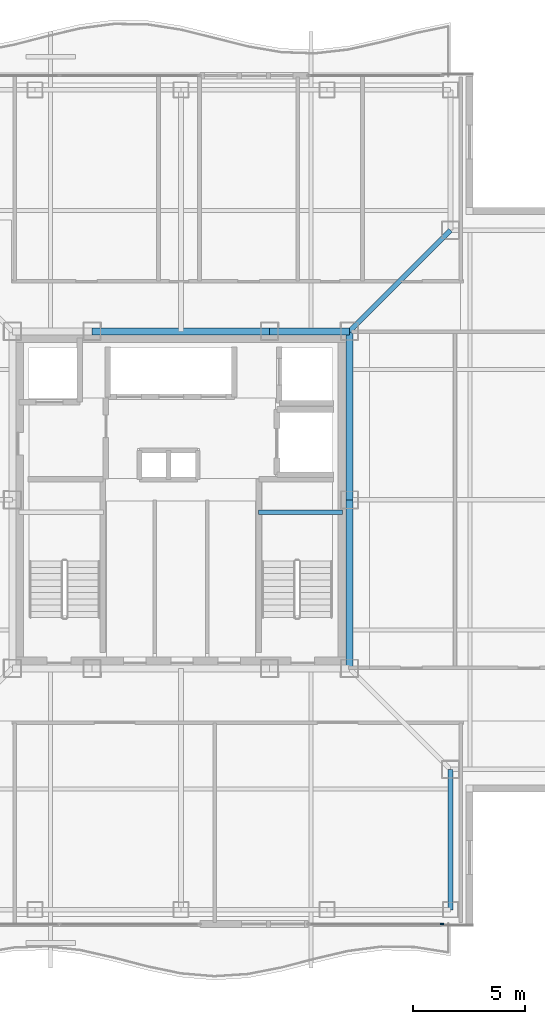
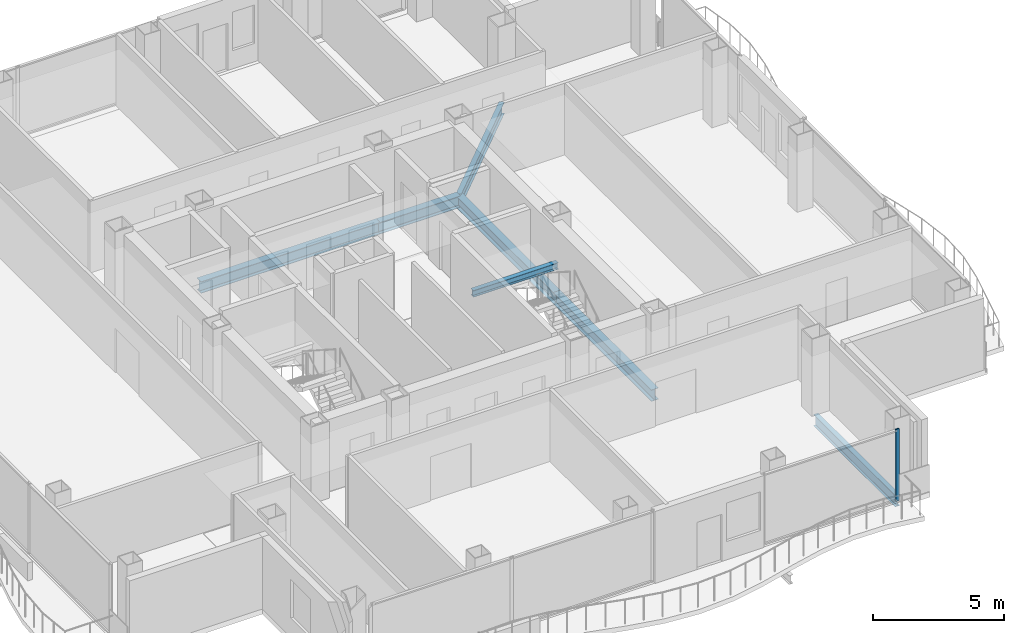
# One storey, part 5 of 17: 7 beams, 1 member, 1 element without a shape of its own.
"""IFC4 building model written with IfcOpenShell, lengths in metres."""

from ifc_helpers import new_model, si_unit, direction, frame, origin, origin_2d, place, context, subcontext, project, spatial, rectangle, i_section, extrude, material, layer, layer_set, material_profile, profile_set, type_object, element, aggregate, save


model = new_model("IFC4")

# Units and contexts
model_context = context("Model", 3, precision=1e-05, world=origin(), true_north=direction((0.0, 1.0)))
body_context = subcontext(model_context, "Body", "Model", "MODEL_VIEW")
ifc_project = project(units=[si_unit("LENGTHUNIT", "METRE"), si_unit("AREAUNIT", "SQUARE_METRE"), si_unit("VOLUMEUNIT", "CUBIC_METRE"), si_unit("PLANEANGLEUNIT", "RADIAN"), si_unit("MASSUNIT", "GRAM", prefix="KILO")], contexts=[model_context])

# Site, building, storey
site_placement = place(None, origin())
site = spatial("IfcSite", under=ifc_project, at=site_placement, CompositionType="ELEMENT")
building_placement = place(site_placement, origin())
building = spatial("IfcBuilding", under=site, at=building_placement, Name="Trevonay Congress Spire", CompositionType="ELEMENT")
storey_placement = place(building_placement, frame((0.0, 0.0, 264.800048828125)))
storey = spatial("IfcBuildingStorey", under=building, at=storey_placement, Name="L69", CompositionType="ELEMENT", Elevation=264.800048828125)

# Beams
ifc_material_1 = material(Name="Steel ASTM A572 Grade 50", Category="steel")
ifc_material_profile_1 = material_profile(ifc_material_1, i_section(OverallWidth=0.2119140625, OverallDepth=0.5439453125, WebThickness=0.01318359375, FlangeThickness=0.021240234375, FilletRadius=0.014892578125, at=origin_2d()), Name="W530x123")
ifc_profile_set_1 = profile_set([ifc_material_profile_1], Name="Steel ASTM A572 Grade 50")
beam_type_1 = type_object("IfcBeamType", Name="BM-GIRD-W530X123", PredefinedType="BEAM", material=ifc_profile_set_1)
beam_1_placement = place(storey_placement, frame((7.5, 7.5, -0.511962890625), z_axis=(0.707106781187, 0.707106781187, 0.0), x_axis=(-0.707106781187, 0.707106781187, 0.0)))
element("IfcBeam", 1, at=beam_1_placement, inside=storey, type_object=beam_type_1, Name="L69 structural beam BM-L69-CDNE", PredefinedType="BEAM", context=body_context, shape_type="SweptSolid", body=[
    extrude(i_section(OverallWidth=0.2119140625, OverallDepth=0.5439453125, WebThickness=0.01318359375, FlangeThickness=0.021240234375, FilletRadius=0.014892578125, at=origin_2d()), origin(), (0.0, 0.0, 1.0), 6.364013671875),
])
ifc_material_profile_2 = material_profile(ifc_material_1, i_section(OverallWidth=0.31201171875, OverallDepth=0.54296875, WebThickness=0.0126953125, FlangeThickness=0.020263671875, FilletRadius=0.014892578125, at=origin_2d()), Name="W530x150")
ifc_profile_set_2 = profile_set([ifc_material_profile_2], Name="Steel ASTM A572 Grade 50")
beam_type_2 = type_object("IfcBeamType", Name="BM-GIRD-W530X150", PredefinedType="BEAM", material=ifc_profile_set_2)
beam_2_placement = place(storey_placement, frame((-3.949951171875, 7.5, -0.511474609375), z_axis=(1.0, 0.0, 0.0), x_axis=(0.0, 1.0, 0.0)))
element("IfcBeam", 2, at=beam_2_placement, inside=storey, type_object=beam_type_2, Name="L69 structural beam BM-L69-CR-N2", PredefinedType="BEAM", context=body_context, shape_type="SweptSolid", body=[
    extrude(i_section(OverallWidth=0.31201171875, OverallDepth=0.54296875, WebThickness=0.0126953125, FlangeThickness=0.020263671875, FilletRadius=0.014892578125, at=origin_2d()), origin(), (0.0, 0.0, 1.0), 7.89990234375),
])
beam_3_placement = place(storey_placement, frame((3.949951171875, 7.5, -0.511474609375), z_axis=(1.0, 0.0, 0.0), x_axis=(0.0, 1.0, 0.0)))
element("IfcBeam", 3, at=beam_3_placement, inside=storey, type_object=beam_type_2, Name="L69 structural beam BM-L69-CR-N3", PredefinedType="BEAM", context=body_context, shape_type="SweptSolid", body=[
    extrude(i_section(OverallWidth=0.31201171875, OverallDepth=0.54296875, WebThickness=0.0126953125, FlangeThickness=0.020263671875, FilletRadius=0.014892578125, at=origin_2d()), origin(), (0.0, 0.0, 1.0), 3.550048828125),
])
for number, where, z_axis, x_axis, name in (
    (4, (7.5, -7.5, -0.511474609375), (0.0, 1.0, 0.0), (-1.0, 0.0, 0.0), "L69 structural beam BM-L69-CR-E1"),
    (5, (7.5, 0.0, -0.511474609375), (0.0, 1.0, 0.0), (-1.0, 0.0, 0.0), "L69 structural beam BM-L69-CR-E2"),
):
    element("IfcBeam", number, at=place(storey_placement, frame(where, z_axis=z_axis, x_axis=x_axis)), inside=storey, type_object=beam_type_2, Name=name, PredefinedType="BEAM", context=body_context, shape_type="SweptSolid", body=[
        extrude(i_section(OverallWidth=0.31201171875, OverallDepth=0.54296875, WebThickness=0.0126953125, FlangeThickness=0.020263671875, FilletRadius=0.014892578125, at=origin_2d()), origin(), (0.0, 0.0, 1.0), 7.5),
    ])
ifc_material_profile_3 = material_profile(ifc_material_1, i_section(OverallWidth=0.208984375, OverallDepth=0.532958984375, WebThickness=0.01025390625, FlangeThickness=0.015625, FilletRadius=0.014892578125, at=origin_2d()), Name="W530x92")
ifc_profile_set_3 = profile_set([ifc_material_profile_3], Name="Steel ASTM A572 Grade 50")
beam_type_3 = type_object("IfcBeamType", Name="BM-RING-W530X92", PredefinedType="BEAM", material=ifc_profile_set_3)
beam_4_placement = place(storey_placement, frame((12.0, -18.25, -0.506591796875), z_axis=(0.0, 1.0, 0.0), x_axis=(-1.0, 0.0, 0.0)))
element("IfcBeam", 6, at=beam_4_placement, inside=storey, type_object=beam_type_3, Name="L69 structural beam BM-L69-N1SE", PredefinedType="BEAM", context=body_context, shape_type="SweptSolid", body=[
    extrude(i_section(OverallWidth=0.208984375, OverallDepth=0.532958984375, WebThickness=0.01025390625, FlangeThickness=0.015625, FilletRadius=0.014892578125, at=origin_2d()), origin(), (0.0, 0.0, 1.0), 6.25),
])

# Curtain wall, member
ifc_material_2 = material(Name="Pale Anodised Aluminium EN AW-6063-T6", Category="aluminium")
ifc_layer = layer(ifc_material_2, 0.1650390625, Name="Pale Anodised Aluminium EN AW-6063-T6")
ifc_layer_set = layer_set([ifc_layer], Name="Pale Anodised Aluminium EN AW-6063-T6")
curtain_wall_type = type_object("IfcCurtainWallType", Name="CW-SYS05-DIPLOM-PALE-METAL", PredefinedType="NOTDEFINED", material=ifc_layer_set)
curtain_wall_placement = place(storey_placement, origin())
curtain_wall = element("IfcCurtainWall", 7, at=curtain_wall_placement, inside=storey, type_object=curtain_wall_type, Name="L69 SB unitised curtain wall", PredefinedType="NOTDEFINED")
ifc_material_profile_4 = material_profile(ifc_material_2, rectangle(XDim=0.06005859375, YDim=0.159912109375, at=origin_2d()), Name="CW-MULLION-160-ALUMINIUM")
ifc_profile_set_4 = profile_set([ifc_material_profile_4], Name="Pale Anodised Aluminium EN AW-6063-T6")
member_type = type_object("IfcMemberType", Name="CW-MULLION-160-ALUMINIUM", PredefinedType="MULLION", material=ifc_profile_set_4)
member_placement = place(storey_placement, frame((11.6201171875, -18.8798828125, 0.0), z_axis=(0.0, 0.0, 1.0), x_axis=(0.0, 1.0, 0.0)))
member = element("IfcMember", 8, at=member_placement, type_object=member_type, Name="CW05 mullion 2", PredefinedType="MULLION", context=body_context, shape_type="SweptSolid", body=[
    extrude(rectangle(XDim=0.06005859375, YDim=0.159912109375, at=origin_2d()), origin(), (0.0, 0.0, 1.0), 3.35986328125),
])
aggregate(curtain_wall, [member])

# Beam
ifc_material_profile_5 = material_profile(ifc_material_1, i_section(OverallWidth=0.2041015625, OverallDepth=0.305908203125, WebThickness=0.008544921875, FlangeThickness=0.0146484375, FilletRadius=0.010986328125, at=origin_2d()), Name="W310x67")
ifc_profile_set_5 = profile_set([ifc_material_profile_5], Name="Steel ASTM A572 Grade 50")
beam_type_4 = type_object("IfcBeamType", Name="LN-CORE-W310X67", PredefinedType="LINTEL", material=ifc_profile_set_5)
beam_5_placement = place(storey_placement, frame((3.449951171875, -0.550048828125, 1.447021484375), z_axis=(1.0, 0.0, 0.0), x_axis=(0.0, 1.0, 0.0)))
element("IfcBeam", 9, at=beam_5_placement, inside=storey, type_object=beam_type_4, Name="L69 structural beam BM-L69-HL-ST2", PredefinedType="LINTEL", context=body_context, shape_type="SweptSolid", body=[
    extrude(i_section(OverallWidth=0.2041015625, OverallDepth=0.305908203125, WebThickness=0.008544921875, FlangeThickness=0.0146484375, FilletRadius=0.010986328125, at=origin_2d()), origin(), (0.0, 0.0, 1.0), 3.75),
])

save(model, "model.ifc")
